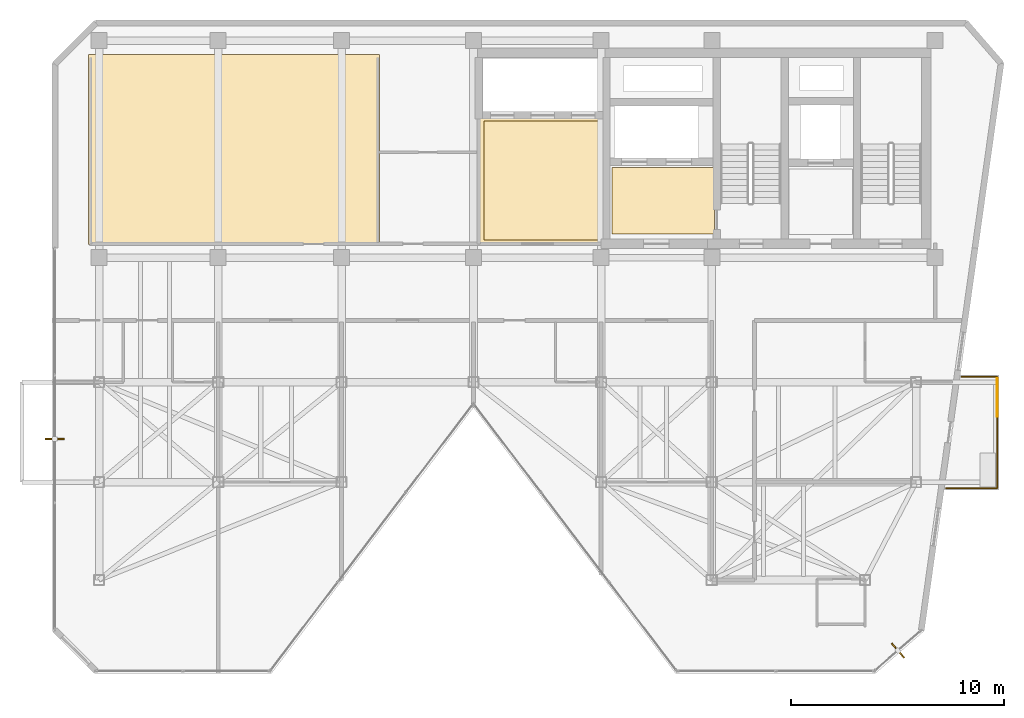
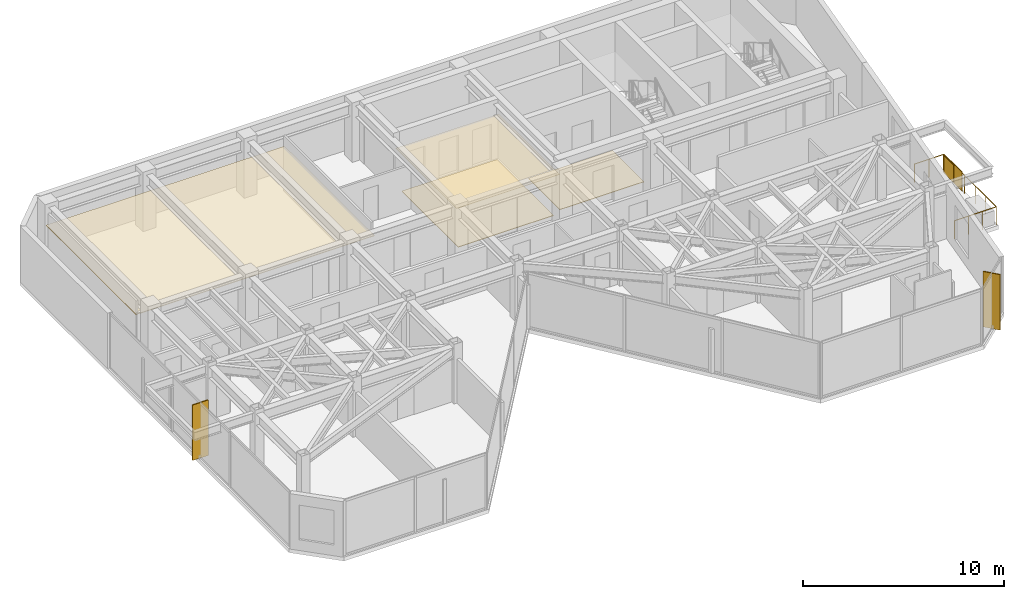
# One storey, part 19 of 20: 4 coverings, 3 railings, 3 shading devices.
"""IFC4 building model written with IfcOpenShell, lengths in metres."""

from ifc_helpers import new_model, si_unit, direction, frame, origin, origin_2d, place, context, subcontext, project, spatial, polyline, rectangle, circle, outline, extrude, material, layer, layer_set, type_object, element, save


model = new_model("IFC4")

# Units and contexts
model_context = context("Model", 3, precision=1e-05, world=origin(), true_north=direction((0.0, 1.0)))
body_context = subcontext(model_context, "Body", "Model", "MODEL_VIEW")
ifc_project = project(units=[si_unit("LENGTHUNIT", "METRE"), si_unit("AREAUNIT", "SQUARE_METRE"), si_unit("VOLUMEUNIT", "CUBIC_METRE"), si_unit("PLANEANGLEUNIT", "RADIAN"), si_unit("MASSUNIT", "GRAM", prefix="KILO")], contexts=[model_context])

# Site, building, storey
site_placement = place(None, origin())
site = spatial("IfcSite", under=ifc_project, at=site_placement, CompositionType="ELEMENT")
building_placement = place(site_placement, origin())
building = spatial("IfcBuilding", under=site, at=building_placement, Name="Kravanh Interchange Tower", CompositionType="ELEMENT")
storey_placement = place(building_placement, frame((0.0, 0.0, 252.60009765625)))
storey = spatial("IfcBuildingStorey", under=building, at=storey_placement, Name="L61", CompositionType="ELEMENT", Elevation=252.60009765625)

# Coverings
ifc_material_1 = material(Name="Cementitious Terrazzo Tile")
ifc_layer_1 = layer(ifc_material_1, 0.030029296875)
ifc_layer_set_1 = layer_set([ifc_layer_1], Name="Honed Terrazzo Lobby Flooring 30mm")
covering_type_1 = type_object("IfcCoveringType", Name="Honed Terrazzo Lobby Flooring 30mm", PredefinedType="FLOORING", material=ifc_layer_set_1)
covering_1_placement = place(storey_placement, origin())
element("IfcCovering", 1, at=covering_1_placement, inside=storey, type_object=covering_type_1, Name="L61 Firefighting Lobby Floor Finish", PredefinedType="FLOORING", context=body_context, shape_type="SweptSolid", body=[
    extrude(outline(polyline([(56.1201171875, 38.4599609375), (51.300048828125, 38.4599609375), (51.300048828125, 41.580078125), (56.1201171875, 41.580078125), (56.1201171875, 38.4599609375)])), origin(), (0.0, 0.0, 1.0), 0.02978515625),
])
covering_2_placement = place(storey_placement, origin())
element("IfcCovering", 2, at=covering_2_placement, inside=storey, type_object=covering_type_1, Name="L61 High-Rise Lift Lobby Floor Finish", PredefinedType="FLOORING", context=body_context, shape_type="SweptSolid", body=[
    extrude(outline(polyline([(45.300048828125, 43.77001953125), (50.77001953125, 43.77001953125), (50.77001953125, 38.179931640625), (45.300048828125, 38.179931640625), (45.300048828125, 43.77001953125)])), origin(), (0.0, 0.0, 1.0), 0.02978515625),
])
ifc_material_2 = material(Name="Anodised Bronze Aluminium Acoustic Baffle", Category="aluminium")
ifc_layer_2 = layer(ifc_material_2, 0.034912109375)
ifc_layer_set_2 = layer_set([ifc_layer_2], Name="Linear Bronze Baffle Feature Ceiling 35mm")
covering_type_2 = type_object("IfcCoveringType", Name="Linear Bronze Baffle Feature Ceiling 35mm", PredefinedType="CEILING", material=ifc_layer_set_2)
covering_3_placement = place(storey_placement, frame((0.0, 0.0, 2.5498046875)))
element("IfcCovering", 3, at=covering_3_placement, inside=storey, type_object=covering_type_2, Name="L61 Spa Relaxation Salon Lounge Suspended Ceiling", PredefinedType="CEILING", context=body_context, shape_type="SweptSolid", body=[
    extrude(outline(polyline([(40.3798828125, 46.889892578125), (40.3798828125, 37.9599609375), (26.7099609375, 37.9599609375), (26.7099609375, 46.889892578125), (40.3798828125, 46.889892578125)])), origin(), (0.0, 0.0, 1.0), 0.03515625),
])
ifc_material_3 = material(Name="Acoustic Mineral Fibre Tile on Aluminium Grid", Category="aluminium")
ifc_layer_3 = layer(ifc_material_3, 0.02490234375)
ifc_layer_set_3 = layer_set([ifc_layer_3], Name="Perforated Acoustic Mineral Ceiling 25mm")
covering_type_3 = type_object("IfcCoveringType", Name="Perforated Acoustic Mineral Ceiling 25mm", PredefinedType="CEILING", material=ifc_layer_set_3)
covering_4_placement = place(storey_placement, frame((0.0, 0.0, 2.5498046875)))
element("IfcCovering", 4, at=covering_4_placement, inside=storey, type_object=covering_type_3, Name="L61 High-Rise Lift Lobby Suspended Ceiling", PredefinedType="CEILING", context=body_context, shape_type="SweptSolid", body=[
    extrude(outline(polyline([(50.989990234375, 37.9599609375), (45.080078125, 37.9599609375), (45.080078125, 43.989990234375), (50.989990234375, 43.989990234375), (50.989990234375, 37.9599609375)])), origin(), (0.0, 0.0, 1.0), 0.025146484375),
])

# Shading device
ifc_material_4 = material(Name="Perforated Anodised Bronze Aluminium", Category="aluminium")
ifc_layer_4 = layer(ifc_material_4, 0.0400390625)
ifc_layer_set_4 = layer_set([ifc_layer_4], Name="Perforated Bronze Balcony Privacy Screen 1150mm")
shading_device_type_1 = type_object("IfcShadingDeviceType", Name="Perforated Bronze Balcony Privacy Screen 1150mm", PredefinedType="USERDEFINED", material=ifc_layer_set_4)
shading_device_placement = place(storey_placement, frame((69.409912109375, 30.780029296875, 0.0), z_axis=(0.0, 0.0, 1.0), x_axis=(1.0, 0.0, 0.0)))
element("IfcShadingDevice", 5, at=shading_device_placement, inside=storey, type_object=shading_device_type_1, Name="L61 E Perforated Bronze BALCONY SCREEN", ObjectType="SCREEN", PredefinedType="USERDEFINED", context=body_context, shape_type="SweptSolid", body=[
    extrude(rectangle(XDim=0.0400390625, YDim=1.800048828125, at=origin_2d()), origin(), (0.0, 0.0, 1.0), 1.14990234375),
])

# Railings
ifc_material_5 = material(Name="Stainless Steel 316", Category="steel")
ifc_layer_5 = layer(ifc_material_5, 0.06005859375)
ifc_layer_set_5 = layer_set([ifc_layer_5], Name="Perimeter Balcony and Terrace Guardrail Stainless 316 1120mm")
railing_type = type_object("IfcRailingType", Name="Perimeter Balcony and Terrace Guardrail Stainless 316 1120mm", PredefinedType="GUARDRAIL", material=ifc_layer_set_5)
railing_1_placement = place(storey_placement, frame((69.409912109375, 31.75, 0.0)))
element("IfcRailing", 6, at=railing_1_placement, inside=storey, type_object=railing_type, Name="L61 E Balcony Guardrail 1", PredefinedType="GUARDRAIL", context=body_context, shape_type="SweptSolid", body=[
    extrude(circle(Radius=0.02392578125, at=origin_2d()), frame((0.0, 0.0, 1.09619140625), z_axis=(0.0, -1.0, 0.0), x_axis=(1.0, 0.0, 0.0)), (0.0, 0.0, 1.0), 5.239990234375),
    extrude(circle(Radius=0.02099609375, at=origin_2d()), origin(), (0.0, 0.0, 1.0), 1.072021484375),
    extrude(circle(Radius=0.02099609375, at=origin_2d()), frame((0.0, -1.048095703125, 0.0)), (0.0, 0.0, 1.0), 1.072021484375),
    extrude(circle(Radius=0.02099609375, at=origin_2d()), frame((0.0, -2.095947265625, 0.0)), (0.0, 0.0, 1.0), 1.072021484375),
    extrude(circle(Radius=0.02099609375, at=origin_2d()), frame((0.0, -3.14404296875, 0.0)), (0.0, 0.0, 1.0), 1.072021484375),
    extrude(circle(Radius=0.02099609375, at=origin_2d()), frame((0.0, -4.19189453125, 0.0)), (0.0, 0.0, 1.0), 1.072021484375),
    extrude(circle(Radius=0.02099609375, at=origin_2d()), frame((0.0, -5.239990234375, 0.0)), (0.0, 0.0, 1.0), 1.072021484375),
])
railing_2_placement = place(storey_placement, frame((69.409912109375, 26.510009765625, 0.0)))
element("IfcRailing", 7, at=railing_2_placement, inside=storey, type_object=railing_type, Name="L61 E Balcony Guardrail 2", PredefinedType="GUARDRAIL", context=body_context, shape_type="SweptSolid", body=[
    extrude(circle(Radius=0.02392578125, at=origin_2d()), frame((0.0, 0.0, 1.09619140625), z_axis=(-1.0, 0.0, 0.0), x_axis=(0.0, -1.0, 0.0)), (0.0, 0.0, 1.0), 2.404541015625),
    extrude(circle(Radius=0.02099609375, at=origin_2d()), origin(), (0.0, 0.0, 1.0), 1.072021484375),
    extrude(circle(Radius=0.02099609375, at=origin_2d()), frame((-0.801513671875, 0.0, 0.0)), (0.0, 0.0, 1.0), 1.072021484375),
    extrude(circle(Radius=0.02099609375, at=origin_2d()), frame((-1.60302734375, 0.0, 0.0)), (0.0, 0.0, 1.0), 1.072021484375),
    extrude(circle(Radius=0.02099609375, at=origin_2d()), frame((-2.404541015625, 0.0, 0.0)), (0.0, 0.0, 1.0), 1.072021484375),
])
railing_3_placement = place(storey_placement, frame((67.74169921875, 31.75, 0.0)))
element("IfcRailing", 8, at=railing_3_placement, inside=storey, type_object=railing_type, Name="L61 E Balcony Guardrail 3", PredefinedType="GUARDRAIL", context=body_context, shape_type="SweptSolid", body=[
    extrude(circle(Radius=0.02392578125, at=origin_2d()), frame((0.0, 0.0, 1.09619140625), z_axis=(1.0, 0.0, 0.0), x_axis=(0.0, 1.0, 0.0)), (0.0, 0.0, 1.0), 1.668212890625),
    extrude(circle(Radius=0.02099609375, at=origin_2d()), origin(), (0.0, 0.0, 1.0), 1.072021484375),
    extrude(circle(Radius=0.02099609375, at=origin_2d()), frame((0.833984375, 0.0, 0.0)), (0.0, 0.0, 1.0), 1.072021484375),
    extrude(circle(Radius=0.02099609375, at=origin_2d()), frame((1.668212890625, 0.0, 0.0)), (0.0, 0.0, 1.0), 1.072021484375),
])

# Shading devices
ifc_material_6 = material(Name="Anodised Champagne Bronze Aluminium", Category="aluminium")
ifc_layer_6 = layer(ifc_material_6, 0.06005859375)
ifc_layer_set_6 = layer_set([ifc_layer_6], Name="Vertical Bronze Solar Fin 900mm")
shading_device_type_2 = type_object("IfcShadingDeviceType", Name="Vertical Bronze Solar Fin 900mm", PredefinedType="USERDEFINED", material=ifc_layer_set_6)
for number, where, z_axis, x_axis, name in (
    (9, (25.1201171875, 28.824951171875, 0.0), (0.0, 0.0, 1.0), (-1.0, 0.0, 0.0), "L61 BRONZE SOLAR FIN 1"),
    (10, (64.745849609375, 18.880859375, 0.0), (0.0, 0.0, 1.0), (0.656059788471, -0.754708920016, 0.0), "L61 BRONZE SOLAR FIN 2"),
):
    element("IfcShadingDevice", number, at=place(storey_placement, frame(where, z_axis=z_axis, x_axis=x_axis)), inside=storey, type_object=shading_device_type_2, Name=name, ObjectType="FIN", PredefinedType="USERDEFINED", context=body_context, shape_type="SweptSolid", body=[
        extrude(rectangle(XDim=0.89990234375, YDim=0.06005859375, at=origin_2d()), origin(), (0.0, 0.0, 1.0), 3.360107421875),
    ])

save(model, "model.ifc")
